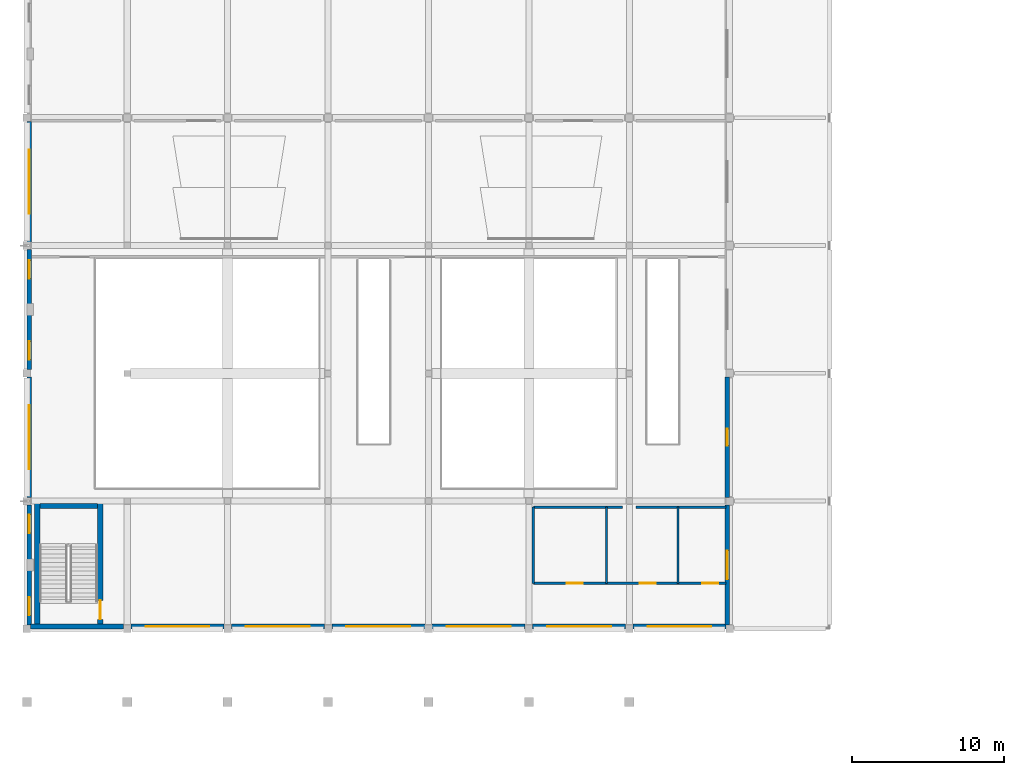
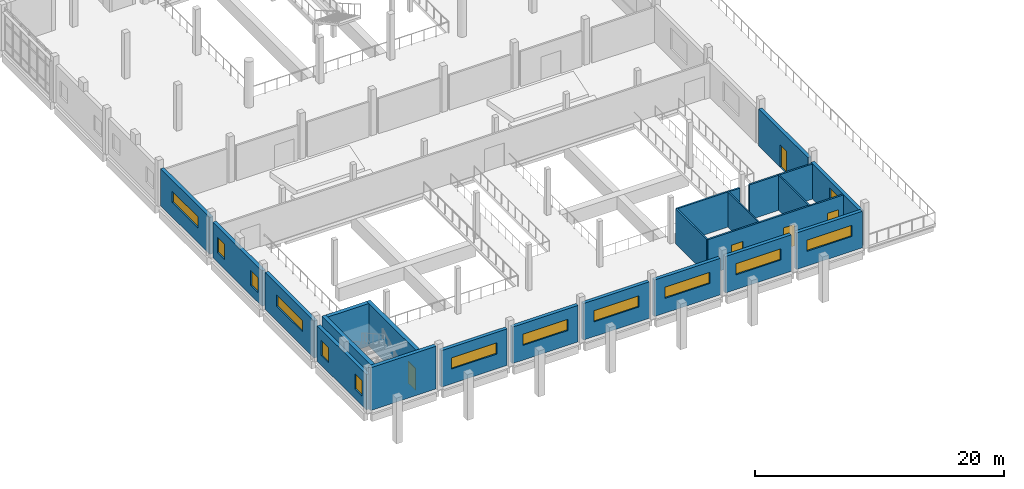
# One storey, part 50 of 83: 22 walls, 13 windows, 5 doors, 18 openings.
"""IFC4 building model written with IfcOpenShell, lengths in metres."""

from ifc_helpers import new_model, si_unit, direction, frame, frame_2d, origin, place, context, subcontext, project, spatial, rectangle, extrude, material, layer, layer_set, type_object, element, fill, save


model = new_model("IFC4")

# Units and contexts
model_context = context("Model", 3, precision=1e-05, world=origin(), true_north=direction((0.0, 1.0)))
body_context = subcontext(model_context, "Body", "Model", "MODEL_VIEW")
ifc_project = project(units=[si_unit("LENGTHUNIT", "METRE"), si_unit("AREAUNIT", "SQUARE_METRE"), si_unit("VOLUMEUNIT", "CUBIC_METRE"), si_unit("PLANEANGLEUNIT", "RADIAN"), si_unit("MASSUNIT", "GRAM", prefix="KILO")], contexts=[model_context])

# Site, building, storey
site_placement = place(None, origin())
site = spatial("IfcSite", under=ifc_project, at=site_placement, CompositionType="ELEMENT")
building_placement = place(site_placement, origin())
building = spatial("IfcBuilding", under=site, at=building_placement, Name="Qaldarim Faculty of Natural and Applied Sciences", CompositionType="ELEMENT")
storey_placement = place(building_placement, frame((0.0, 0.0, 5.39990234375)))
storey = spatial("IfcBuildingStorey", under=building, at=storey_placement, Name="L01", CompositionType="ELEMENT", Elevation=5.39990234375)

# Walls
ifc_material_1 = material(Name="Painted gypsum partition board")
ifc_layer_1 = layer(ifc_material_1, 0.1201171875)
ifc_layer_set_1 = layer_set([ifc_layer_1], Name="Painted gypsum partition board")
wall_type_1 = type_object("IfcWallType", Name="AcousticPartition-120", PredefinedType="PARTITIONING", material=ifc_layer_set_1)
for number, where, z_axis, x_axis, name in (
    (1, (38.10009765625, 19.800048828125, 0.0), (0.0, 0.0, 1.0), (0.0, 1.0, 0.0), "Interior partition PRT-L01-V1-WCD1"),
    (2, (42.800048828125, 19.800048828125, 0.0), (0.0, 0.0, 1.0), (0.0, 1.0, 0.0), "Interior partition PRT-L01-V1-WCD2"),
):
    element("IfcWall", number, at=place(storey_placement, frame(where, z_axis=z_axis, x_axis=x_axis)), inside=storey, type_object=wall_type_1, Name=name, PredefinedType="PARTITIONING", context=body_context, shape_type="SweptSolid", body=[
        extrude(rectangle(XDim=5.0, YDim=0.1201171875, at=frame_2d((2.5, 0.0))), origin(), (0.0, 0.0, 1.0), 3.4501953125),
    ])
ifc_material_2 = material(Name="Concrete C50/60", Category="concrete")
ifc_layer_2 = layer(ifc_material_2, 0.360107421875)
ifc_layer_set_2 = layer_set([ifc_layer_2], Name="Concrete C50/60")
wall_type_2 = type_object("IfcWallType", Name="CoreShearWall-360", PredefinedType="SHEAR", material=ifc_layer_set_2)
wall_1_placement = place(storey_placement, frame((0.669921875, 16.969970703125, 0.0), z_axis=(0.0, 0.0, 1.0), x_axis=(0.0, 1.0, 0.0)))
element("IfcWall", 3, at=wall_1_placement, inside=storey, type_object=wall_type_2, Name="Core stair ST-D1 west shear wall L01", PredefinedType="SHEAR", context=body_context, shape_type="SweptSolid", body=[
    extrude(rectangle(XDim=8.090087890625, YDim=0.360107421875, at=frame_2d((4.044921875, 0.0))), origin(), (0.0, 0.0, 1.0), 4.2001953125),
])

# Wall, opening, door
wall_2_placement = place(storey_placement, frame((4.830078125, 16.969970703125, 0.0), z_axis=(0.0, 0.0, 1.0), x_axis=(0.0, 1.0, 0.0)))
wall_2 = element("IfcWall", 4, at=wall_2_placement, inside=storey, type_object=wall_type_2, Name="Core stair ST-D1 east shear wall L01", PredefinedType="SHEAR", context=body_context, shape_type="SweptSolid", body=[
    extrude(rectangle(XDim=8.090087890625, YDim=0.360107421875, at=frame_2d((4.044921875, 0.0))), origin(), (0.0, 0.0, 1.0), 4.2001953125),
])
opening_1_placement = place(wall_2_placement, frame((0.449951171875, 0.0, 0.0)))
opening_1 = element("IfcOpeningElement", 5, at=opening_1_placement, cuts=wall_2, Name="Opening ID04", PredefinedType="OPENING", context=body_context, shape_type="SweptSolid", body=[
    extrude(rectangle(XDim=1.25, YDim=2.14990234375, at=frame_2d((0.625, 1.074951171875))), frame((0.0, 0.18994140625, 0.0), z_axis=(0.0, -1.0, 0.0), x_axis=(1.0, 0.0, 0.0)), (0.0, 0.0, 1.0), 0.380126953125),
])
ifc_material_3 = material(Name="Architectural stainless steel 316", Category="steel")
door_type_1 = type_object("IfcDoorType", Name="StairEnclosureFireDoor-1250x2150", OperationType="NOTDEFINED", PredefinedType="DOOR", material=ifc_material_3)
door_1_placement = place(opening_1_placement, origin())
door_1 = element("IfcDoor", 6, at=door_1_placement, inside=storey, type_object=door_type_1, Name="Protected stair ST-D1 fire door D-L01-550", OperationType="SINGLE_SWING_LEFT", OverallHeight=2.14990234375, OverallWidth=1.25, PredefinedType="DOOR", context=body_context, shape_type="SweptSolid", body=[
    extrude(rectangle(XDim=1.25, YDim=2.14990234375, at=frame_2d((0.625, 1.074951171875))), frame((0.0, 0.02490234375, 0.0), z_axis=(0.0, -1.0, 0.0), x_axis=(1.0, 0.0, 0.0)), (0.0, 0.0, 1.0), 0.050048828125),
])
fill(opening_1, door_1)

# Wall
wall_3_placement = place(storey_placement, frame((0.85009765625, 24.8798828125, 0.0), z_axis=(0.0, 0.0, 1.0), x_axis=(1.0, 0.0, 0.0)))
element("IfcWall", 7, at=wall_3_placement, inside=storey, type_object=wall_type_2, Name="Core stair ST-D1 north shear wall L01", PredefinedType="SHEAR", context=body_context, shape_type="SweptSolid", body=[
    extrude(rectangle(XDim=3.7998046875, YDim=0.360107421875, at=frame_2d((1.89990234375, 0.0))), origin(), (0.0, 0.0, 1.0), 4.2001953125),
])

# Wall, openings, windows
ifc_material_4 = material(Name="Precast concrete C40/50", Category="concrete")
ifc_layer_3 = layer(ifc_material_4, 0.320068359375)
ifc_layer_set_3 = layer_set([ifc_layer_3], Name="Precast concrete C40/50")
wall_type_3 = type_object("IfcWallType", Name="ExteriorLimestoneWall-320", PredefinedType="SOLIDWALL", material=ifc_layer_set_3)
wall_4_placement = place(storey_placement, frame((0.159912109375, 24.955078125, 0.0), z_axis=(0.0, 0.0, 1.0), x_axis=(0.0, -1.0, 0.0)))
wall_4 = element("IfcWall", 8, at=wall_4_placement, inside=storey, type_object=wall_type_3, Name="Exterior wall EW01 L01 W X01Y03", PredefinedType="SOLIDWALL", context=body_context, shape_type="SweptSolid", body=[
    extrude(rectangle(XDim=7.91015625, YDim=0.320068359375, at=frame_2d((3.955078125, 0.0))), origin(), (0.0, 0.0, 1.0), 3.485107421875),
])
opening_2_placement = place(wall_4_placement, frame((0.64990234375, 0.0, 0.949951171875)))
opening_2 = element("IfcOpeningElement", 9, at=opening_2_placement, cuts=wall_4, Name="Opening WN01", PredefinedType="OPENING", context=body_context, shape_type="SweptSolid", body=[
    extrude(rectangle(XDim=1.199951171875, YDim=1.5, at=frame_2d((0.60009765625, 0.75))), frame((0.0, 0.169921875, 0.0), z_axis=(0.0, -1.0, 0.0), x_axis=(1.0, 0.0, 0.0)), (0.0, 0.0, 1.0), 0.340087890625),
])
opening_3_placement = place(wall_4_placement, frame((6.06005859375, 0.0, 0.949951171875)))
opening_3 = element("IfcOpeningElement", 10, at=opening_3_placement, cuts=wall_4, Name="Opening WN01", PredefinedType="OPENING", context=body_context, shape_type="SweptSolid", body=[
    extrude(rectangle(XDim=1.199951171875, YDim=1.5, at=frame_2d((0.60009765625, 0.75))), frame((0.0, 0.169921875, 0.0), z_axis=(0.0, -1.0, 0.0), x_axis=(1.0, 0.0, 0.0)), (0.0, 0.0, 1.0), 0.340087890625),
])
ifc_material_5 = material(Name="Insulated low-e double glazing", Category="glass")
window_type_1 = type_object("IfcWindowType", Name="Window-1200x1500", PartitioningType="SINGLE_PANEL", PredefinedType="WINDOW", material=ifc_material_5)
window_1_placement = place(opening_2_placement, origin())
window_1 = element("IfcWindow", 11, at=window_1_placement, inside=storey, type_object=window_type_1, Name="Pilaster-bay flanking window L01 W X01Y03-1", OverallHeight=1.5, OverallWidth=1.199951171875, PartitioningType="SINGLE_PANEL", PredefinedType="WINDOW", context=body_context, shape_type="SweptSolid", body=[
    extrude(rectangle(XDim=1.199951171875, YDim=1.5, at=frame_2d((0.60009765625, 0.75))), frame((0.0, 0.030029296875, 0.0), z_axis=(0.0, -1.0, 0.0), x_axis=(1.0, 0.0, 0.0)), (0.0, 0.0, 1.0), 0.06005859375),
])
fill(opening_2, window_1)
window_2_placement = place(opening_3_placement, origin())
window_2 = element("IfcWindow", 12, at=window_2_placement, inside=storey, type_object=window_type_1, Name="Pilaster-bay flanking window L01 W X01Y03-2", OverallHeight=1.5, OverallWidth=1.199951171875, PartitioningType="SINGLE_PANEL", PredefinedType="WINDOW", context=body_context, shape_type="SweptSolid", body=[
    extrude(rectangle(XDim=1.199951171875, YDim=1.5, at=frame_2d((0.60009765625, 0.75))), frame((0.0, 0.030029296875, 0.0), z_axis=(0.0, -1.0, 0.0), x_axis=(1.0, 0.0, 0.0)), (0.0, 0.0, 1.0), 0.06005859375),
])
fill(opening_3, window_2)

# Wall, opening, window
wall_5_placement = place(storey_placement, frame((0.159912109375, 33.35498046875, 0.0), z_axis=(0.0, 0.0, 1.0), x_axis=(0.0, -1.0, 0.0)))
wall_5 = element("IfcWall", 13, at=wall_5_placement, inside=storey, type_object=wall_type_3, Name="Exterior wall EW01 L01 W X01Y04", PredefinedType="SOLIDWALL", context=body_context, shape_type="SweptSolid", body=[
    extrude(rectangle(XDim=7.909912109375, YDim=0.320068359375, at=frame_2d((3.955078125, 0.0))), origin(), (0.0, 0.0, 1.0), 3.635009765625),
])
opening_4_placement = place(wall_5_placement, frame((1.85498046875, 0.0, 1.449951171875)))
opening_4 = element("IfcOpeningElement", 14, at=opening_4_placement, cuts=wall_5, Name="Opening WN08", PredefinedType="OPENING", context=body_context, shape_type="SweptSolid", body=[
    extrude(rectangle(XDim=4.199951171875, YDim=1.10009765625, at=frame_2d((2.10009765625, 0.550048828125))), frame((0.0, 0.169921875, 0.0), z_axis=(0.0, -1.0, 0.0), x_axis=(1.0, 0.0, 0.0)), (0.0, 0.0, 1.0), 0.340087890625),
])
window_type_2 = type_object("IfcWindowType", Name="ClerestoryWindow-4200x1100", PartitioningType="TRIPLE_PANEL_HORIZONTAL", PredefinedType="WINDOW", material=ifc_material_5)
window_3_placement = place(opening_4_placement, origin())
window_3 = element("IfcWindow", 15, at=window_3_placement, inside=storey, type_object=window_type_2, Name="Facade window WN08 L01 W X01Y04", OverallHeight=1.10009765625, OverallWidth=4.199951171875, PartitioningType="SINGLE_PANEL", PredefinedType="WINDOW", context=body_context, shape_type="SweptSolid", body=[
    extrude(rectangle(XDim=4.199951171875, YDim=1.10009765625, at=frame_2d((2.10009765625, 0.550048828125))), frame((0.0, 0.030029296875, 0.0), z_axis=(0.0, -1.0, 0.0), x_axis=(1.0, 0.0, 0.0)), (0.0, 0.0, 1.0), 0.06005859375),
])
fill(opening_4, window_3)

# Wall, openings, windows
wall_6_placement = place(storey_placement, frame((0.159912109375, 41.7548828125, 0.0), z_axis=(0.0, 0.0, 1.0), x_axis=(0.0, -1.0, 0.0)))
wall_6 = element("IfcWall", 16, at=wall_6_placement, inside=storey, type_object=wall_type_3, Name="Exterior wall EW01 L01 W X01Y05", PredefinedType="SOLIDWALL", context=body_context, shape_type="SweptSolid", body=[
    extrude(rectangle(XDim=7.909912109375, YDim=0.320068359375, at=frame_2d((3.955078125, 0.0))), origin(), (0.0, 0.0, 1.0), 3.485107421875),
])
opening_5_placement = place(wall_6_placement, frame((0.72509765625, 0.0, 0.949951171875)))
opening_5 = element("IfcOpeningElement", 17, at=opening_5_placement, cuts=wall_6, Name="Opening WN01", PredefinedType="OPENING", context=body_context, shape_type="SweptSolid", body=[
    extrude(rectangle(XDim=1.199951171875, YDim=1.5, at=frame_2d((0.60009765625, 0.75))), frame((0.0, 0.169921875, 0.0), z_axis=(0.0, -1.0, 0.0), x_axis=(1.0, 0.0, 0.0)), (0.0, 0.0, 1.0), 0.340087890625),
])
opening_6_placement = place(wall_6_placement, frame((6.06005859375, 0.0, 0.949951171875)))
opening_6 = element("IfcOpeningElement", 18, at=opening_6_placement, cuts=wall_6, Name="Opening WN01", PredefinedType="OPENING", context=body_context, shape_type="SweptSolid", body=[
    extrude(rectangle(XDim=1.199951171875, YDim=1.5, at=frame_2d((0.60009765625, 0.75))), frame((0.0, 0.169921875, 0.0), z_axis=(0.0, -1.0, 0.0), x_axis=(1.0, 0.0, 0.0)), (0.0, 0.0, 1.0), 0.340087890625),
])
window_4_placement = place(opening_5_placement, origin())
window_4 = element("IfcWindow", 19, at=window_4_placement, inside=storey, type_object=window_type_1, Name="Pilaster-bay flanking window L01 W X01Y05-1", OverallHeight=1.5, OverallWidth=1.199951171875, PartitioningType="SINGLE_PANEL", PredefinedType="WINDOW", context=body_context, shape_type="SweptSolid", body=[
    extrude(rectangle(XDim=1.199951171875, YDim=1.5, at=frame_2d((0.60009765625, 0.75))), frame((0.0, 0.030029296875, 0.0), z_axis=(0.0, -1.0, 0.0), x_axis=(1.0, 0.0, 0.0)), (0.0, 0.0, 1.0), 0.06005859375),
])
fill(opening_5, window_4)
window_5_placement = place(opening_6_placement, origin())
window_5 = element("IfcWindow", 20, at=window_5_placement, inside=storey, type_object=window_type_1, Name="Pilaster-bay flanking window L01 W X01Y05-2", OverallHeight=1.5, OverallWidth=1.199951171875, PartitioningType="SINGLE_PANEL", PredefinedType="WINDOW", context=body_context, shape_type="SweptSolid", body=[
    extrude(rectangle(XDim=1.199951171875, YDim=1.5, at=frame_2d((0.60009765625, 0.75))), frame((0.0, 0.030029296875, 0.0), z_axis=(0.0, -1.0, 0.0), x_axis=(1.0, 0.0, 0.0)), (0.0, 0.0, 1.0), 0.06005859375),
])
fill(opening_6, window_5)

# Wall, opening, window
wall_7_placement = place(storey_placement, frame((0.159912109375, 50.155029296875, 0.0), z_axis=(0.0, 0.0, 1.0), x_axis=(0.0, -1.0, 0.0)))
wall_7 = element("IfcWall", 21, at=wall_7_placement, inside=storey, type_object=wall_type_3, Name="Exterior wall EW01 L01 W X01Y06", PredefinedType="SOLIDWALL", context=body_context, shape_type="SweptSolid", body=[
    extrude(rectangle(XDim=7.909912109375, YDim=0.320068359375, at=frame_2d((3.955078125, 0.0))), origin(), (0.0, 0.0, 1.0), 3.635009765625),
])
opening_7_placement = place(wall_7_placement, frame((1.85498046875, 0.0, 1.449951171875)))
opening_7 = element("IfcOpeningElement", 22, at=opening_7_placement, cuts=wall_7, Name="Opening WN08", PredefinedType="OPENING", context=body_context, shape_type="SweptSolid", body=[
    extrude(rectangle(XDim=4.199951171875, YDim=1.10009765625, at=frame_2d((2.10009765625, 0.550048828125))), frame((0.0, 0.169921875, 0.0), z_axis=(0.0, -1.0, 0.0), x_axis=(1.0, 0.0, 0.0)), (0.0, 0.0, 1.0), 0.340087890625),
])
window_6_placement = place(opening_7_placement, origin())
window_6 = element("IfcWindow", 23, at=window_6_placement, inside=storey, type_object=window_type_2, Name="Facade window WN08 L01 W X01Y06", OverallHeight=1.10009765625, OverallWidth=4.199951171875, PartitioningType="SINGLE_PANEL", PredefinedType="WINDOW", context=body_context, shape_type="SweptSolid", body=[
    extrude(rectangle(XDim=4.199951171875, YDim=1.10009765625, at=frame_2d((2.10009765625, 0.550048828125))), frame((0.0, 0.030029296875, 0.0), z_axis=(0.0, -1.0, 0.0), x_axis=(1.0, 0.0, 0.0)), (0.0, 0.0, 1.0), 0.06005859375),
])
fill(opening_7, window_6)

wall_8_placement = place(storey_placement, frame((6.844970703125, 16.9599609375, 0.0), z_axis=(0.0, 0.0, 1.0), x_axis=(1.0, 0.0, 0.0)))
wall_8 = element("IfcWall", 24, at=wall_8_placement, inside=storey, type_object=wall_type_3, Name="Exterior wall EW01 L01 S X02Y03", PredefinedType="SOLIDWALL", context=body_context, shape_type="SweptSolid", body=[
    extrude(rectangle(XDim=6.110107421875, YDim=0.320068359375, at=frame_2d((3.05517578125, 0.0))), origin(), (0.0, 0.0, 1.0), 3.585205078125),
])
opening_8_placement = place(wall_8_placement, frame((0.955078125, 0.0, 1.449951171875)))
opening_8 = element("IfcOpeningElement", 25, at=opening_8_placement, cuts=wall_8, Name="Opening WN08", PredefinedType="OPENING", context=body_context, shape_type="SweptSolid", body=[
    extrude(rectangle(XDim=4.199951171875, YDim=1.10009765625, at=frame_2d((2.10009765625, 0.550048828125))), frame((0.0, 0.169921875, 0.0), z_axis=(0.0, -1.0, 0.0), x_axis=(1.0, 0.0, 0.0)), (0.0, 0.0, 1.0), 0.340087890625),
])
window_7_placement = place(opening_8_placement, origin())
window_7 = element("IfcWindow", 26, at=window_7_placement, inside=storey, type_object=window_type_2, Name="Facade window WN08 L01 S X02Y03", OverallHeight=1.10009765625, OverallWidth=4.199951171875, PartitioningType="SINGLE_PANEL", PredefinedType="WINDOW", context=body_context, shape_type="SweptSolid", body=[
    extrude(rectangle(XDim=4.199951171875, YDim=1.10009765625, at=frame_2d((2.10009765625, 0.550048828125))), frame((0.0, 0.030029296875, 0.0), z_axis=(0.0, -1.0, 0.0), x_axis=(1.0, 0.0, 0.0)), (0.0, 0.0, 1.0), 0.06005859375),
])
fill(opening_8, window_7)

wall_9_placement = place(storey_placement, frame((13.445068359375, 16.9599609375, 0.0), z_axis=(0.0, 0.0, 1.0), x_axis=(1.0, 0.0, 0.0)))
wall_9 = element("IfcWall", 27, at=wall_9_placement, inside=storey, type_object=wall_type_3, Name="Exterior wall EW01 L01 S X03Y03", PredefinedType="SOLIDWALL", context=body_context, shape_type="SweptSolid", body=[
    extrude(rectangle(XDim=6.10986328125, YDim=0.320068359375, at=frame_2d((3.054931640625, 0.0))), origin(), (0.0, 0.0, 1.0), 3.585205078125),
])
opening_9_placement = place(wall_9_placement, frame((0.955078125, 0.0, 1.449951171875)))
opening_9 = element("IfcOpeningElement", 28, at=opening_9_placement, cuts=wall_9, Name="Opening WN08", PredefinedType="OPENING", context=body_context, shape_type="SweptSolid", body=[
    extrude(rectangle(XDim=4.199951171875, YDim=1.10009765625, at=frame_2d((2.10009765625, 0.550048828125))), frame((0.0, 0.169921875, 0.0), z_axis=(0.0, -1.0, 0.0), x_axis=(1.0, 0.0, 0.0)), (0.0, 0.0, 1.0), 0.340087890625),
])
window_8_placement = place(opening_9_placement, origin())
window_8 = element("IfcWindow", 29, at=window_8_placement, inside=storey, type_object=window_type_2, Name="Facade window WN08 L01 S X03Y03", OverallHeight=1.10009765625, OverallWidth=4.199951171875, PartitioningType="SINGLE_PANEL", PredefinedType="WINDOW", context=body_context, shape_type="SweptSolid", body=[
    extrude(rectangle(XDim=4.199951171875, YDim=1.10009765625, at=frame_2d((2.10009765625, 0.550048828125))), frame((0.0, 0.030029296875, 0.0), z_axis=(0.0, -1.0, 0.0), x_axis=(1.0, 0.0, 0.0)), (0.0, 0.0, 1.0), 0.06005859375),
])
fill(opening_9, window_8)

wall_10_placement = place(storey_placement, frame((20.044921875, 16.9599609375, 0.0), z_axis=(0.0, 0.0, 1.0), x_axis=(1.0, 0.0, 0.0)))
wall_10 = element("IfcWall", 30, at=wall_10_placement, inside=storey, type_object=wall_type_3, Name="Exterior wall EW01 L01 S X04Y03", PredefinedType="SOLIDWALL", context=body_context, shape_type="SweptSolid", body=[
    extrude(rectangle(XDim=6.110107421875, YDim=0.320068359375, at=frame_2d((3.05517578125, 0.0))), origin(), (0.0, 0.0, 1.0), 3.585205078125),
])
opening_10_placement = place(wall_10_placement, frame((0.955078125, 0.0, 1.449951171875)))
opening_10 = element("IfcOpeningElement", 31, at=opening_10_placement, cuts=wall_10, Name="Opening WN08", PredefinedType="OPENING", context=body_context, shape_type="SweptSolid", body=[
    extrude(rectangle(XDim=4.199951171875, YDim=1.10009765625, at=frame_2d((2.10009765625, 0.550048828125))), frame((0.0, 0.169921875, 0.0), z_axis=(0.0, -1.0, 0.0), x_axis=(1.0, 0.0, 0.0)), (0.0, 0.0, 1.0), 0.340087890625),
])
window_9_placement = place(opening_10_placement, origin())
window_9 = element("IfcWindow", 32, at=window_9_placement, inside=storey, type_object=window_type_2, Name="Facade window WN08 L01 S X04Y03", OverallHeight=1.10009765625, OverallWidth=4.199951171875, PartitioningType="SINGLE_PANEL", PredefinedType="WINDOW", context=body_context, shape_type="SweptSolid", body=[
    extrude(rectangle(XDim=4.199951171875, YDim=1.10009765625, at=frame_2d((2.10009765625, 0.550048828125))), frame((0.0, 0.030029296875, 0.0), z_axis=(0.0, -1.0, 0.0), x_axis=(1.0, 0.0, 0.0)), (0.0, 0.0, 1.0), 0.06005859375),
])
fill(opening_10, window_9)

wall_11_placement = place(storey_placement, frame((26.64501953125, 16.9599609375, 0.0), z_axis=(0.0, 0.0, 1.0), x_axis=(1.0, 0.0, 0.0)))
wall_11 = element("IfcWall", 33, at=wall_11_placement, inside=storey, type_object=wall_type_3, Name="Exterior wall EW01 L01 S X05Y03", PredefinedType="SOLIDWALL", context=body_context, shape_type="SweptSolid", body=[
    extrude(rectangle(XDim=6.10986328125, YDim=0.320068359375, at=frame_2d((3.054931640625, 0.0))), origin(), (0.0, 0.0, 1.0), 3.585205078125),
])
opening_11_placement = place(wall_11_placement, frame((0.955078125, 0.0, 1.449951171875)))
opening_11 = element("IfcOpeningElement", 34, at=opening_11_placement, cuts=wall_11, Name="Opening WN08", PredefinedType="OPENING", context=body_context, shape_type="SweptSolid", body=[
    extrude(rectangle(XDim=4.199951171875, YDim=1.10009765625, at=frame_2d((2.10009765625, 0.550048828125))), frame((0.0, 0.169921875, 0.0), z_axis=(0.0, -1.0, 0.0), x_axis=(1.0, 0.0, 0.0)), (0.0, 0.0, 1.0), 0.340087890625),
])
window_10_placement = place(opening_11_placement, origin())
window_10 = element("IfcWindow", 35, at=window_10_placement, inside=storey, type_object=window_type_2, Name="Facade window WN08 L01 S X05Y03", OverallHeight=1.10009765625, OverallWidth=4.199951171875, PartitioningType="SINGLE_PANEL", PredefinedType="WINDOW", context=body_context, shape_type="SweptSolid", body=[
    extrude(rectangle(XDim=4.199951171875, YDim=1.10009765625, at=frame_2d((2.10009765625, 0.550048828125))), frame((0.0, 0.030029296875, 0.0), z_axis=(0.0, -1.0, 0.0), x_axis=(1.0, 0.0, 0.0)), (0.0, 0.0, 1.0), 0.06005859375),
])
fill(opening_11, window_10)

wall_12_placement = place(storey_placement, frame((33.2451171875, 16.9599609375, 0.0), z_axis=(0.0, 0.0, 1.0), x_axis=(1.0, 0.0, 0.0)))
wall_12 = element("IfcWall", 36, at=wall_12_placement, inside=storey, type_object=wall_type_3, Name="Exterior wall EW01 L01 S X06Y03", PredefinedType="SOLIDWALL", context=body_context, shape_type="SweptSolid", body=[
    extrude(rectangle(XDim=6.10986328125, YDim=0.320068359375, at=frame_2d((3.054931640625, 0.0))), origin(), (0.0, 0.0, 1.0), 3.585205078125),
])
opening_12_placement = place(wall_12_placement, frame((0.955078125, 0.0, 1.449951171875)))
opening_12 = element("IfcOpeningElement", 37, at=opening_12_placement, cuts=wall_12, Name="Opening WN08", PredefinedType="OPENING", context=body_context, shape_type="SweptSolid", body=[
    extrude(rectangle(XDim=4.199951171875, YDim=1.10009765625, at=frame_2d((2.10009765625, 0.550048828125))), frame((0.0, 0.169921875, 0.0), z_axis=(0.0, -1.0, 0.0), x_axis=(1.0, 0.0, 0.0)), (0.0, 0.0, 1.0), 0.340087890625),
])
window_11_placement = place(opening_12_placement, origin())
window_11 = element("IfcWindow", 38, at=window_11_placement, inside=storey, type_object=window_type_2, Name="Facade window WN08 L01 S X06Y03", OverallHeight=1.10009765625, OverallWidth=4.199951171875, PartitioningType="SINGLE_PANEL", PredefinedType="WINDOW", context=body_context, shape_type="SweptSolid", body=[
    extrude(rectangle(XDim=4.199951171875, YDim=1.10009765625, at=frame_2d((2.10009765625, 0.550048828125))), frame((0.0, 0.030029296875, 0.0), z_axis=(0.0, -1.0, 0.0), x_axis=(1.0, 0.0, 0.0)), (0.0, 0.0, 1.0), 0.06005859375),
])
fill(opening_12, window_11)

wall_13_placement = place(storey_placement, frame((39.844970703125, 16.9599609375, 0.0), z_axis=(0.0, 0.0, 1.0), x_axis=(1.0, 0.0, 0.0)))
wall_13 = element("IfcWall", 39, at=wall_13_placement, inside=storey, type_object=wall_type_3, Name="Exterior wall EW01 L01 S X07Y03", PredefinedType="SOLIDWALL", context=body_context, shape_type="SweptSolid", body=[
    extrude(rectangle(XDim=6.110107421875, YDim=0.320068359375, at=frame_2d((3.05517578125, 0.0))), origin(), (0.0, 0.0, 1.0), 3.585205078125),
])
opening_13_placement = place(wall_13_placement, frame((0.955078125, 0.0, 1.449951171875)))
opening_13 = element("IfcOpeningElement", 40, at=opening_13_placement, cuts=wall_13, Name="Opening WN08", PredefinedType="OPENING", context=body_context, shape_type="SweptSolid", body=[
    extrude(rectangle(XDim=4.199951171875, YDim=1.10009765625, at=frame_2d((2.10009765625, 0.550048828125))), frame((0.0, 0.169921875, 0.0), z_axis=(0.0, -1.0, 0.0), x_axis=(1.0, 0.0, 0.0)), (0.0, 0.0, 1.0), 0.340087890625),
])
window_12_placement = place(opening_13_placement, origin())
window_12 = element("IfcWindow", 41, at=window_12_placement, inside=storey, type_object=window_type_2, Name="Facade window WN08 L01 S X07Y03", OverallHeight=1.10009765625, OverallWidth=4.199951171875, PartitioningType="SINGLE_PANEL", PredefinedType="WINDOW", context=body_context, shape_type="SweptSolid", body=[
    extrude(rectangle(XDim=4.199951171875, YDim=1.10009765625, at=frame_2d((2.10009765625, 0.550048828125))), frame((0.0, 0.030029296875, 0.0), z_axis=(0.0, -1.0, 0.0), x_axis=(1.0, 0.0, 0.0)), (0.0, 0.0, 1.0), 0.06005859375),
])
fill(opening_13, window_12)

wall_14_placement = place(storey_placement, frame((46.0400390625, 17.044921875, 0.0), z_axis=(0.0, 0.0, 1.0), x_axis=(0.0, 1.0, 0.0)))
wall_14 = element("IfcWall", 42, at=wall_14_placement, inside=storey, type_object=wall_type_3, Name="Exterior wall EW01 L01 E X07Y03", PredefinedType="SOLIDWALL", context=body_context, shape_type="SweptSolid", body=[
    extrude(rectangle(XDim=7.91015625, YDim=0.320068359375, at=frame_2d((3.955078125, 0.0))), origin(), (0.0, 0.0, 1.0), 3.485107421875),
])
opening_14_placement = place(wall_14_placement, frame((3.0048828125, 0.0, 0.949951171875)))
opening_14 = element("IfcOpeningElement", 43, at=opening_14_placement, cuts=wall_14, Name="Opening WN20", PredefinedType="OPENING", context=body_context, shape_type="SweptSolid", body=[
    extrude(rectangle(XDim=1.89990234375, YDim=1.85009765625, at=frame_2d((0.949951171875, 0.925048828125))), frame((0.0, 0.169921875, 0.0), z_axis=(0.0, -1.0, 0.0), x_axis=(1.0, 0.0, 0.0)), (0.0, 0.0, 1.0), 0.340087890625),
])
window_type_3 = type_object("IfcWindowType", Name="StudyWindow-1900x1850", PartitioningType="DOUBLE_PANEL_VERTICAL", PredefinedType="WINDOW", material=ifc_material_5)
window_13_placement = place(opening_14_placement, origin())
window_13 = element("IfcWindow", 44, at=window_13_placement, inside=storey, type_object=window_type_3, Name="Facade window WN20 L01 E X07Y03", OverallHeight=1.85009765625, OverallWidth=1.89990234375, PartitioningType="SINGLE_PANEL", PredefinedType="WINDOW", context=body_context, shape_type="SweptSolid", body=[
    extrude(rectangle(XDim=1.89990234375, YDim=1.85009765625, at=frame_2d((0.949951171875, 0.925048828125))), frame((0.0, 0.030029296875, 0.0), z_axis=(0.0, -1.0, 0.0), x_axis=(1.0, 0.0, 0.0)), (0.0, 0.0, 1.0), 0.06005859375),
])
fill(opening_14, window_13)

# Wall, opening, door
wall_15_placement = place(storey_placement, frame((46.0400390625, 25.445068359375, 0.0), z_axis=(0.0, 0.0, 1.0), x_axis=(0.0, 1.0, 0.0)))
wall_15 = element("IfcWall", 45, at=wall_15_placement, inside=storey, type_object=wall_type_3, Name="Exterior wall EW01 L01 E X07Y04", PredefinedType="SOLIDWALL", context=body_context, shape_type="SweptSolid", body=[
    extrude(rectangle(XDim=7.909912109375, YDim=0.320068359375, at=frame_2d((3.955078125, 0.0))), origin(), (0.0, 0.0, 1.0), 3.635009765625),
])
opening_15_placement = place(wall_15_placement, frame((3.405029296875, 0.0, 0.0)))
opening_15 = element("IfcOpeningElement", 46, at=opening_15_placement, cuts=wall_15, Name="Opening ED03", PredefinedType="OPENING", context=body_context, shape_type="SweptSolid", body=[
    extrude(rectangle(XDim=1.10009765625, YDim=2.199951171875, at=frame_2d((0.550048828125, 1.10009765625))), frame((0.0, 0.169921875, 0.0), z_axis=(0.0, -1.0, 0.0), x_axis=(1.0, 0.0, 0.0)), (0.0, 0.0, 1.0), 0.340087890625),
])
ifc_material_6 = material(Name="Anodised aluminium AW-6063", Category="aluminium")
door_type_2 = type_object("IfcDoorType", Name="TerraceAccessDoor-1100x2200", OperationType="NOTDEFINED", PredefinedType="DOOR", material=ifc_material_6)
door_2_placement = place(opening_15_placement, frame((1.10009765625, 0.0, 0.0), z_axis=(0.0, 0.0, 1.0), x_axis=(-1.0, 0.0, 0.0)))
door_2 = element("IfcDoor", 47, at=door_2_placement, inside=storey, type_object=door_type_2, Name="Terrace access door D-L01-019", OperationType="SINGLE_SWING_RIGHT", OverallHeight=2.199951171875, OverallWidth=1.10009765625, PredefinedType="DOOR", context=body_context, shape_type="SweptSolid", body=[
    extrude(rectangle(XDim=1.10009765625, YDim=2.199951171875, at=frame_2d((0.550048828125, 1.10009765625))), frame((0.0, 0.02490234375, 0.0), z_axis=(0.0, -1.0, 0.0), x_axis=(1.0, 0.0, 0.0)), (0.0, 0.0, 1.0), 0.050048828125),
])
fill(opening_15, door_2)

# Wall
ifc_layer_4 = layer(ifc_material_2, 0.340087890625)
ifc_layer_set_4 = layer_set([ifc_layer_4], Name="Concrete C50/60")
wall_type_4 = type_object("IfcWallType", Name="ExteriorStairShearWall-340", PredefinedType="SHEAR", material=ifc_layer_set_4)
wall_16_placement = place(storey_placement, frame((0.2451171875, 16.969970703125, 0.0), z_axis=(0.0, 0.0, 1.0), x_axis=(1.0, 0.0, 0.0)))
element("IfcWall", 48, at=wall_16_placement, inside=storey, type_object=wall_type_4, Name="Exterior wall EW05 L01 S X01Y03", PredefinedType="SHEAR", context=body_context, shape_type="SweptSolid", body=[
    extrude(rectangle(XDim=6.10986328125, YDim=0.340087890625, at=frame_2d((3.054931640625, 0.0))), origin(), (0.0, 0.0, 1.0), 4.2001953125),
])

# Wall, openings, doors
ifc_material_7 = material(Name="Concrete C40/50", Category="concrete")
ifc_layer_5 = layer(ifc_material_7, 0.159912109375)
ifc_layer_set_5 = layer_set([ifc_layer_5], Name="Concrete C40/50")
wall_type_5 = type_object("IfcWallType", Name="FireCorridorWall-160", PredefinedType="PARTITIONING", material=ifc_layer_set_5)
wall_17_placement = place(storey_placement, frame((33.300048828125, 19.800048828125, 0.0), z_axis=(0.0, 0.0, 1.0), x_axis=(1.0, 0.0, 0.0)))
wall_17 = element("IfcWall", 49, at=wall_17_placement, inside=storey, type_object=wall_type_5, Name="Interior partition PRT-L01-V1-WCS", PredefinedType="PARTITIONING", context=body_context, shape_type="SweptSolid", body=[
    extrude(rectangle(XDim=12.64990234375, YDim=0.159912109375, at=frame_2d((6.324951171875, 0.0))), origin(), (0.0, 0.0, 1.0), 3.4501953125),
])
opening_16_placement = place(wall_17_placement, frame((2.199951171875, 0.0, 0.0)))
opening_16 = element("IfcOpeningElement", 50, at=opening_16_placement, cuts=wall_17, Name="Opening ID02", PredefinedType="OPENING", context=body_context, shape_type="SweptSolid", body=[
    extrude(rectangle(XDim=1.050048828125, YDim=2.14990234375, at=frame_2d((0.52490234375, 1.074951171875))), frame((0.0, 0.08984375, 0.0), z_axis=(0.0, -1.0, 0.0), x_axis=(1.0, 0.0, 0.0)), (0.0, 0.0, 1.0), 0.179931640625),
])
opening_17_placement = place(wall_17_placement, frame((7.0, 0.0, 0.0)))
opening_17 = element("IfcOpeningElement", 51, at=opening_17_placement, cuts=wall_17, Name="Opening ID02", PredefinedType="OPENING", context=body_context, shape_type="SweptSolid", body=[
    extrude(rectangle(XDim=1.050048828125, YDim=2.14990234375, at=frame_2d((0.52490234375, 1.074951171875))), frame((0.0, 0.08984375, 0.0), z_axis=(0.0, -1.0, 0.0), x_axis=(1.0, 0.0, 0.0)), (0.0, 0.0, 1.0), 0.179931640625),
])
opening_18_placement = place(wall_17_placement, frame((11.10009765625, 0.0, 0.0)))
opening_18 = element("IfcOpeningElement", 52, at=opening_18_placement, cuts=wall_17, Name="Opening ID02", PredefinedType="OPENING", context=body_context, shape_type="SweptSolid", body=[
    extrude(rectangle(XDim=1.050048828125, YDim=2.14990234375, at=frame_2d((0.52490234375, 1.074951171875))), frame((0.0, 0.08984375, 0.0), z_axis=(0.0, -1.0, 0.0), x_axis=(1.0, 0.0, 0.0)), (0.0, 0.0, 1.0), 0.179931640625),
])
ifc_material_8 = material(Name="Oak hardwood", Category="wood")
door_type_3 = type_object("IfcDoorType", Name="AccessibleRoomDoor-1050x2150", OperationType="NOTDEFINED", PredefinedType="DOOR", material=ifc_material_8)
door_3_placement = place(opening_16_placement, origin())
door_3 = element("IfcDoor", 53, at=door_3_placement, inside=storey, type_object=door_type_3, Name="Interior door D-L01-143", OperationType="SINGLE_SWING_LEFT", OverallHeight=2.14990234375, OverallWidth=1.050048828125, PredefinedType="DOOR", context=body_context, shape_type="SweptSolid", body=[
    extrude(rectangle(XDim=1.050048828125, YDim=2.14990234375, at=frame_2d((0.52490234375, 1.074951171875))), frame((0.0, 0.02490234375, 0.0), z_axis=(0.0, -1.0, 0.0), x_axis=(1.0, 0.0, 0.0)), (0.0, 0.0, 1.0), 0.050048828125),
])
fill(opening_16, door_3)
door_4_placement = place(opening_17_placement, origin())
door_4 = element("IfcDoor", 54, at=door_4_placement, inside=storey, type_object=door_type_3, Name="Interior door D-L01-144", OperationType="SINGLE_SWING_RIGHT", OverallHeight=2.14990234375, OverallWidth=1.050048828125, PredefinedType="DOOR", context=body_context, shape_type="SweptSolid", body=[
    extrude(rectangle(XDim=1.050048828125, YDim=2.14990234375, at=frame_2d((0.52490234375, 1.074951171875))), frame((0.0, 0.02490234375, 0.0), z_axis=(0.0, -1.0, 0.0), x_axis=(1.0, 0.0, 0.0)), (0.0, 0.0, 1.0), 0.050048828125),
])
fill(opening_17, door_4)
door_5_placement = place(opening_18_placement, origin())
door_5 = element("IfcDoor", 55, at=door_5_placement, inside=storey, type_object=door_type_3, Name="Interior door D-L01-145", OperationType="SINGLE_SWING_LEFT", OverallHeight=2.14990234375, OverallWidth=1.050048828125, PredefinedType="DOOR", context=body_context, shape_type="SweptSolid", body=[
    extrude(rectangle(XDim=1.050048828125, YDim=2.14990234375, at=frame_2d((0.52490234375, 1.074951171875))), frame((0.0, 0.02490234375, 0.0), z_axis=(0.0, -1.0, 0.0), x_axis=(1.0, 0.0, 0.0)), (0.0, 0.0, 1.0), 0.050048828125),
])
fill(opening_18, door_5)

# Walls
wall_18_placement = place(storey_placement, frame((33.300048828125, 24.800048828125, 0.0), z_axis=(0.0, 0.0, 1.0), x_axis=(1.0, 0.0, 0.0)))
element("IfcWall", 56, at=wall_18_placement, inside=storey, type_object=wall_type_5, Name="Interior partition PRT-L01-V1-WCN-S1", PredefinedType="PARTITIONING", context=body_context, shape_type="SweptSolid", body=[
    extrude(rectangle(XDim=5.849853515625, YDim=0.159912109375, at=frame_2d((2.9248046875, 0.0))), origin(), (0.0, 0.0, 1.0), 3.4501953125),
])
wall_19_placement = place(storey_placement, frame((40.050048828125, 24.800048828125, 0.0), z_axis=(0.0, 0.0, 1.0), x_axis=(1.0, 0.0, 0.0)))
element("IfcWall", 57, at=wall_19_placement, inside=storey, type_object=wall_type_5, Name="Interior partition PRT-L01-V1-WCN-S2", PredefinedType="PARTITIONING", context=body_context, shape_type="SweptSolid", body=[
    extrude(rectangle(XDim=5.89990234375, YDim=0.159912109375, at=frame_2d((2.949951171875, 0.0))), origin(), (0.0, 0.0, 1.0), 3.4501953125),
])
wall_20_placement = place(storey_placement, frame((33.300048828125, 19.800048828125, 0.0), z_axis=(0.0, 0.0, 1.0), x_axis=(0.0, 1.0, 0.0)))
element("IfcWall", 58, at=wall_20_placement, inside=storey, type_object=wall_type_5, Name="Interior partition PRT-L01-V1-WCW", PredefinedType="PARTITIONING", context=body_context, shape_type="SweptSolid", body=[
    extrude(rectangle(XDim=5.0, YDim=0.159912109375, at=frame_2d((2.5, 0.0))), origin(), (0.0, 0.0, 1.0), 3.4501953125),
])

save(model, "model.ifc")
